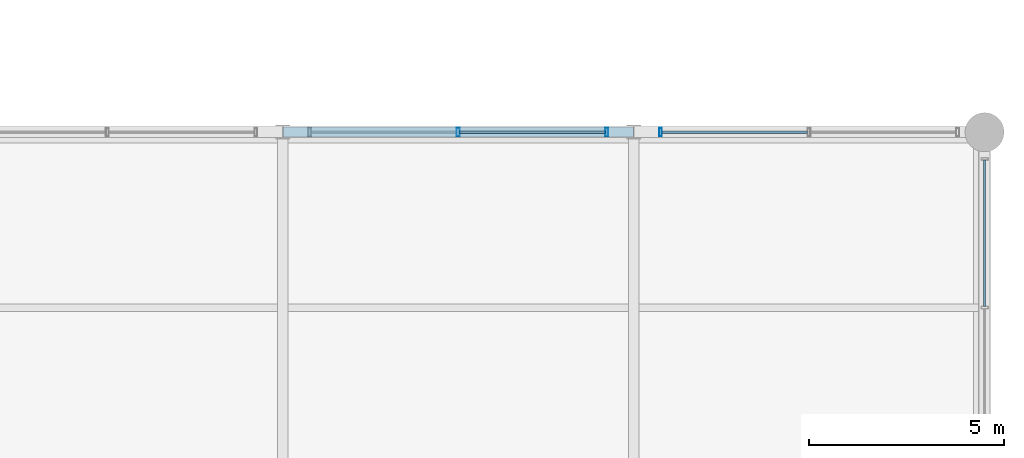
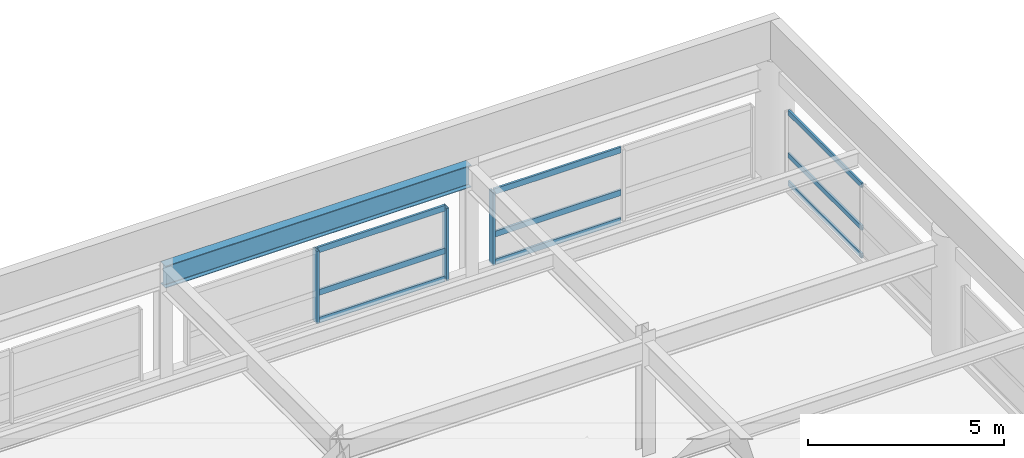
# One storey, part 65 of 108: 12 members, 1 beam, 3 elements without a shape of their own.
"""IFC4 building model written with IfcOpenShell, lengths in metres."""

from ifc_helpers import new_model, si_unit, direction, frame, origin, origin_2d, place, context, subcontext, project, spatial, hollow_rectangle, i_section, extrude, material, material_profile, profile_set, type_object, element, aggregate, save


model = new_model("IFC4")

# Units and contexts
model_context = context("Model", 3, precision=1e-05, world=origin(), true_north=direction((0.0, 1.0)))
body_context = subcontext(model_context, "Body", "Model", "MODEL_VIEW")
ifc_project = project(units=[si_unit("LENGTHUNIT", "METRE"), si_unit("AREAUNIT", "SQUARE_METRE"), si_unit("VOLUMEUNIT", "CUBIC_METRE"), si_unit("PLANEANGLEUNIT", "RADIAN"), si_unit("MASSUNIT", "GRAM", prefix="KILO")], contexts=[model_context])

# Site, building, storey
site_placement = place(None, origin())
site = spatial("IfcSite", under=ifc_project, at=site_placement, CompositionType="ELEMENT")
building_placement = place(site_placement, origin())
building = spatial("IfcBuilding", under=site, at=building_placement, Name="Kaldorvane Square Convention Centre", CompositionType="ELEMENT")
storey_placement = place(building_placement, frame((0.0, 0.0, 23.399993896484375)))
storey = spatial("IfcBuildingStorey", under=building, at=storey_placement, Name="L04", CompositionType="ELEMENT", Elevation=23.399993896484375)

# Beam
ifc_material_1 = material(Name="Steel ASTM A992 Gr. 50", Category="steel")
ifc_material_profile_1 = material_profile(ifc_material_1, i_section(OverallWidth=0.25439453125, OverallDepth=0.6880950927734375, WebThickness=0.0131072998046875, FlangeThickness=0.0211029052734375, FilletRadius=0.01519775390625, at=origin_2d()), Name="W27X102")
ifc_profile_set_1 = profile_set([ifc_material_profile_1], Name="Steel ASTM A992 Gr. 50")
beam_type = type_object("IfcBeamType", Name="BM-GR-W27X102", PredefinedType="BEAM", material=ifc_profile_set_1)
beam_placement = place(storey_placement, frame((156.0, 36.0, 3.1819000244140625), z_axis=(1.0, 0.0, 0.0), x_axis=(0.0, 1.0, 0.0)))
element("IfcBeam", 1, at=beam_placement, inside=storey, type_object=beam_type, Name="Primary Girder (L04)", PredefinedType="BEAM", context=body_context, shape_type="SweptSolid", body=[
    extrude(i_section(OverallWidth=0.25439453125, OverallDepth=0.6880950927734375, WebThickness=0.0131072998046875, FlangeThickness=0.0211029052734375, FilletRadius=0.01519775390625, at=origin_2d()), origin(), (0.0, 0.0, 1.0), 9.0),
])

# Curtain wall, members
ifc_material_2 = material(Name="Anodized Aluminum and Low-E Insulated Glazing", Category="aluminium")
curtain_wall_type_1 = type_object("IfcCurtainWallType", Name="CW-PTS-FC-42", PredefinedType="USERDEFINED", material=ifc_material_2)
curtain_wall_1_placement = place(storey_placement, origin())
curtain_wall_1 = element("IfcCurtainWall", 2, at=curtain_wall_1_placement, inside=storey, type_object=curtain_wall_type_1, Name="Curtain Wall CW-09 (L04)", ObjectType="POINT SUPPORTED GLAZING", PredefinedType="USERDEFINED")
ifc_material_profile_2 = material_profile(ifc_material_2, hollow_rectangle(XDim=0.0749969482421875, YDim=0.220001220703125, WallThickness=0.003997802734375, at=origin_2d()), Name="CWM-220X75")
ifc_profile_set_2 = profile_set([ifc_material_profile_2], Name="Anodized Aluminum and Low-E Insulated Glazing")
member_type_1 = type_object("IfcMemberType", Name="CW-MUL-220", PredefinedType="MULLION", material=ifc_profile_set_2)
member_1_placement = place(storey_placement, frame((164.3125, 36.0, 0.1500091552734375), z_axis=(0.0, 0.0, 1.0), x_axis=(-1.0, 0.0, 0.0)))
member_1 = element("IfcMember", 3, at=member_1_placement, type_object=member_type_1, Name="CW-09 mullion 1", PredefinedType="MULLION", context=body_context, shape_type="SweptSolid", body=[
    extrude(hollow_rectangle(XDim=0.0749969482421875, YDim=0.220001220703125, WallThickness=0.003997802734375, at=origin_2d()), origin(), (0.0, 0.0, 1.0), 2.2599945068359375),
])
member_2_placement = place(storey_placement, frame((160.5, 36.0, 0.1500091552734375), z_axis=(0.0, 0.0, 1.0), x_axis=(-1.0, 0.0, 0.0)))
member_2 = element("IfcMember", 4, at=member_2_placement, type_object=member_type_1, Name="CW-09 mullion 2", PredefinedType="MULLION", context=body_context, shape_type="SweptSolid", body=[
    extrude(hollow_rectangle(XDim=0.0749969482421875, YDim=0.220001220703125, WallThickness=0.003997802734375, at=origin_2d()), origin(), (0.0, 0.0, 1.0), 2.2599945068359375),
])

# Curtain wall, member
curtain_wall_2_placement = place(storey_placement, origin())
curtain_wall_2 = element("IfcCurtainWall", 5, at=curtain_wall_2_placement, inside=storey, type_object=curtain_wall_type_1, Name="Curtain Wall CW-09 (L04)", ObjectType="POINT SUPPORTED GLAZING", PredefinedType="USERDEFINED")
member_3_placement = place(storey_placement, frame((165.6875, 36.0, 0.1500091552734375), z_axis=(0.0, 0.0, 1.0), x_axis=(-1.0, 0.0, 0.0)))
member_3 = element("IfcMember", 6, at=member_3_placement, type_object=member_type_1, Name="CW-09 mullion 3", PredefinedType="MULLION", context=body_context, shape_type="SweptSolid", body=[
    extrude(hollow_rectangle(XDim=0.0749969482421875, YDim=0.220001220703125, WallThickness=0.003997802734375, at=origin_2d()), origin(), (0.0, 0.0, 1.0), 2.2599945068359375),
])

# Curtain wall, members
curtain_wall_type_2 = type_object("IfcCurtainWallType", Name="CW-UNI-P42-09", PredefinedType="USERDEFINED", material=ifc_material_2)
curtain_wall_3_placement = place(storey_placement, origin())
curtain_wall_3 = element("IfcCurtainWall", 7, at=curtain_wall_3_placement, inside=storey, type_object=curtain_wall_type_2, Name="Curtain Wall CW-06 (L04)", ObjectType="UNITISED GLAZING", PredefinedType="USERDEFINED")
ifc_material_profile_3 = material_profile(ifc_material_2, hollow_rectangle(XDim=0.05999755859375, YDim=0.149993896484375, WallThickness=0.003204345703125, at=origin_2d()), Name="CWT-150X60")
ifc_profile_set_3 = profile_set([ifc_material_profile_3], Name="Anodized Aluminum and Low-E Insulated Glazing")
member_type_2 = type_object("IfcMemberType", Name="CW-TRN-150", PredefinedType="USERDEFINED", material=ifc_profile_set_3)
member_4_placement = place(storey_placement, frame((174.0, 31.532501220703125, 0.1800079345703125), z_axis=(0.0, 1.0, 0.0), x_axis=(-1.0, 0.0, 0.0)))
member_4 = element("IfcMember", 8, at=member_4_placement, type_object=member_type_2, Name="CW-06 transom 2.1", ObjectType="TRANSOM", PredefinedType="USERDEFINED", context=body_context, shape_type="SweptSolid", body=[
    extrude(hollow_rectangle(XDim=0.05999755859375, YDim=0.149993896484375, WallThickness=0.003204345703125, at=origin_2d()), origin(), (0.0, 0.0, 1.0), 3.75250244140625),
])
member_5_placement = place(storey_placement, frame((174.0, 31.532501220703125, 1.0500030517578125), z_axis=(0.0, 1.0, 0.0), x_axis=(-1.0, 0.0, 0.0)))
member_5 = element("IfcMember", 9, at=member_5_placement, type_object=member_type_2, Name="CW-06 transom 2.2", ObjectType="TRANSOM", PredefinedType="USERDEFINED", context=body_context, shape_type="SweptSolid", body=[
    extrude(hollow_rectangle(XDim=0.05999755859375, YDim=0.149993896484375, WallThickness=0.003204345703125, at=origin_2d()), origin(), (0.0, 0.0, 1.0), 3.75250244140625),
])
member_6_placement = place(storey_placement, frame((174.0, 31.532501220703125, 2.3800048828125), z_axis=(0.0, 1.0, 0.0), x_axis=(-1.0, 0.0, 0.0)))
member_6 = element("IfcMember", 10, at=member_6_placement, type_object=member_type_2, Name="CW-06 transom 2.3", ObjectType="TRANSOM", PredefinedType="USERDEFINED", context=body_context, shape_type="SweptSolid", body=[
    extrude(hollow_rectangle(XDim=0.05999755859375, YDim=0.149993896484375, WallThickness=0.003204345703125, at=origin_2d()), origin(), (0.0, 0.0, 1.0), 3.75250244140625),
])
aggregate(curtain_wall_3, [member_4, member_5, member_6])

# Member
ifc_material_profile_4 = material_profile(ifc_material_2, hollow_rectangle(XDim=0.06500244140625, YDim=0.17999267578125, WallThickness=0.0034942626953125, at=origin_2d()), Name="CWT-180X65")
ifc_profile_set_4 = profile_set([ifc_material_profile_4], Name="Anodized Aluminum and Low-E Insulated Glazing")
member_type_3 = type_object("IfcMemberType", Name="CW-TRN-180", PredefinedType="USERDEFINED", material=ifc_profile_set_4)
member_7_placement = place(storey_placement, frame((164.27499389648438, 36.0, 0.1825103759765625), z_axis=(-1.0, 0.0, 0.0), x_axis=(0.0, -1.0, 0.0)))
member_7 = element("IfcMember", 11, at=member_7_placement, type_object=member_type_3, Name="CW-09 transom 1.1", ObjectType="TRANSOM", PredefinedType="USERDEFINED", context=body_context, shape_type="SweptSolid", body=[
    extrude(hollow_rectangle(XDim=0.06500244140625, YDim=0.17999267578125, WallThickness=0.0034942626953125, at=origin_2d()), origin(), (0.0, 0.0, 1.0), 3.73748779296875),
])

member_8_placement = place(storey_placement, frame((164.27499389648438, 36.0, 1.0500030517578125), z_axis=(-1.0, 0.0, 0.0), x_axis=(0.0, -1.0, 0.0)))
member_8 = element("IfcMember", 12, at=member_8_placement, type_object=member_type_3, Name="CW-09 transom 1.2", ObjectType="TRANSOM", PredefinedType="USERDEFINED", context=body_context, shape_type="SweptSolid", body=[
    extrude(hollow_rectangle(XDim=0.06500244140625, YDim=0.17999267578125, WallThickness=0.0034942626953125, at=origin_2d()), origin(), (0.0, 0.0, 1.0), 3.73748779296875),
])

member_9_placement = place(storey_placement, frame((164.27499389648438, 36.0, 2.37750244140625), z_axis=(-1.0, 0.0, 0.0), x_axis=(0.0, -1.0, 0.0)))
member_9 = element("IfcMember", 13, at=member_9_placement, type_object=member_type_3, Name="CW-09 transom 1.3", ObjectType="TRANSOM", PredefinedType="USERDEFINED", context=body_context, shape_type="SweptSolid", body=[
    extrude(hollow_rectangle(XDim=0.06500244140625, YDim=0.17999267578125, WallThickness=0.0034942626953125, at=origin_2d()), origin(), (0.0, 0.0, 1.0), 3.73748779296875),
])

aggregate(curtain_wall_1, [member_1, member_2, member_7, member_8, member_9])

member_10_placement = place(storey_placement, frame((169.46249389648438, 36.0, 0.1825103759765625), z_axis=(-1.0, 0.0, 0.0), x_axis=(0.0, -1.0, 0.0)))
member_10 = element("IfcMember", 14, at=member_10_placement, type_object=member_type_3, Name="CW-09 transom 2.1", ObjectType="TRANSOM", PredefinedType="USERDEFINED", context=body_context, shape_type="SweptSolid", body=[
    extrude(hollow_rectangle(XDim=0.06500244140625, YDim=0.17999267578125, WallThickness=0.0034942626953125, at=origin_2d()), origin(), (0.0, 0.0, 1.0), 3.73748779296875),
])

member_11_placement = place(storey_placement, frame((169.46249389648438, 36.0, 1.0500030517578125), z_axis=(-1.0, 0.0, 0.0), x_axis=(0.0, -1.0, 0.0)))
member_11 = element("IfcMember", 15, at=member_11_placement, type_object=member_type_3, Name="CW-09 transom 2.2", ObjectType="TRANSOM", PredefinedType="USERDEFINED", context=body_context, shape_type="SweptSolid", body=[
    extrude(hollow_rectangle(XDim=0.06500244140625, YDim=0.17999267578125, WallThickness=0.0034942626953125, at=origin_2d()), origin(), (0.0, 0.0, 1.0), 3.73748779296875),
])

member_12_placement = place(storey_placement, frame((169.46249389648438, 36.0, 2.37750244140625), z_axis=(-1.0, 0.0, 0.0), x_axis=(0.0, -1.0, 0.0)))
member_12 = element("IfcMember", 16, at=member_12_placement, type_object=member_type_3, Name="CW-09 transom 2.3", ObjectType="TRANSOM", PredefinedType="USERDEFINED", context=body_context, shape_type="SweptSolid", body=[
    extrude(hollow_rectangle(XDim=0.06500244140625, YDim=0.17999267578125, WallThickness=0.0034942626953125, at=origin_2d()), origin(), (0.0, 0.0, 1.0), 3.73748779296875),
])

aggregate(curtain_wall_2, [member_3, member_10, member_11, member_12])

save(model, "model.ifc")
